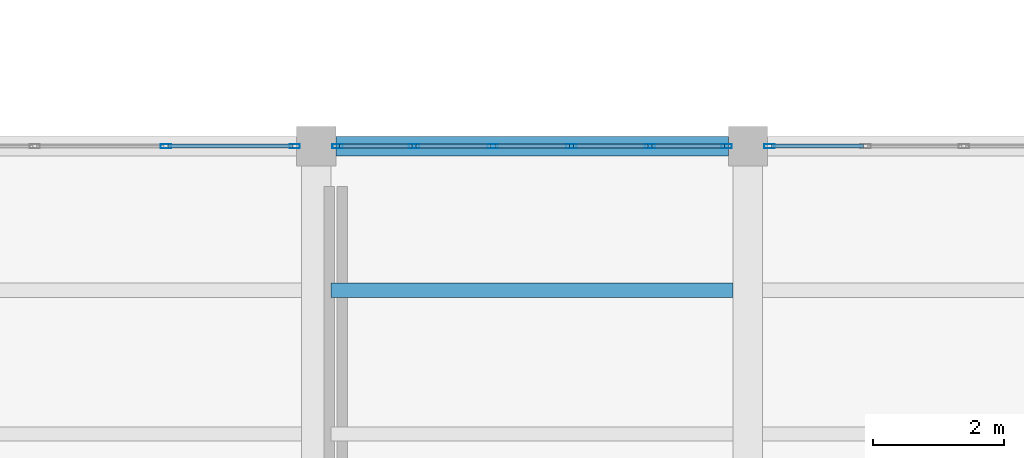
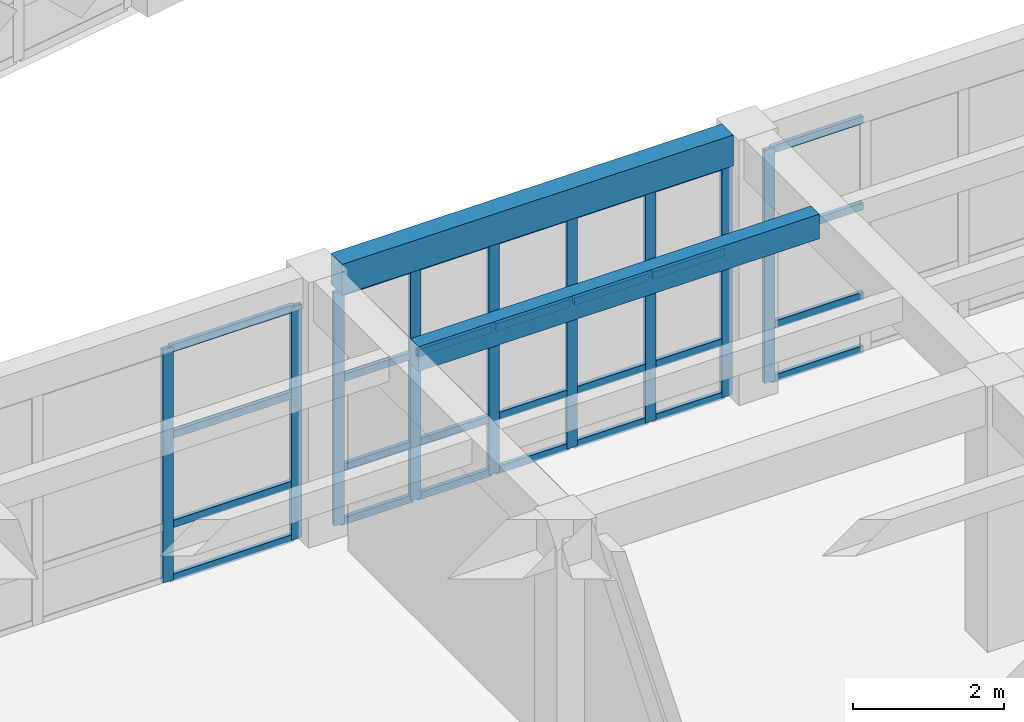
# One storey, part 13 of 80: 37 members, 2 beams, 3 elements without a shape of their own.
"""IFC4 building model written with IfcOpenShell, lengths in metres."""

from ifc_helpers import new_model, si_unit, direction, frame, origin, origin_2d, place, context, subcontext, project, spatial, rectangle, hollow_rectangle, extrude, material, layer, layer_set, material_profile, profile_set, type_object, element, aggregate, save


model = new_model("IFC4")

# Units and contexts
model_context = context("Model", 3, precision=1e-05, world=origin(), true_north=direction((0.0, 1.0)))
body_context = subcontext(model_context, "Body", "Model", "MODEL_VIEW")
ifc_project = project(units=[si_unit("LENGTHUNIT", "METRE"), si_unit("AREAUNIT", "SQUARE_METRE"), si_unit("VOLUMEUNIT", "CUBIC_METRE"), si_unit("PLANEANGLEUNIT", "RADIAN"), si_unit("MASSUNIT", "GRAM", prefix="KILO")], contexts=[model_context])

# Site, building, storey
site_placement = place(None, origin())
site = spatial("IfcSite", under=ifc_project, at=site_placement, CompositionType="ELEMENT")
building_placement = place(site_placement, origin())
building = spatial("IfcBuilding", under=site, at=building_placement, Name="Kharisveld Research Institute", CompositionType="ELEMENT")
storey_placement = place(building_placement, frame((0.0, 0.0, 5.10009765625)))
storey = spatial("IfcBuildingStorey", under=building, at=storey_placement, Name="L01", CompositionType="ELEMENT", Elevation=5.10009765625)

# Curtain wall, members
ifc_material_1 = material(Name="Thermally Broken Aluminium Curtain Wall", Category="aluminium")
ifc_layer_1 = layer(ifc_material_1, 0.159912109375)
ifc_layer_set_1 = layer_set([ifc_layer_1], Name="CW_SYS_06")
curtain_wall_type_1 = type_object("IfcCurtainWallType", Name="CW_SYS_06", PredefinedType="NOTDEFINED", material=ifc_layer_set_1)
curtain_wall_1_placement = place(storey_placement, origin())
curtain_wall_1 = element("IfcCurtainWall", 1, at=curtain_wall_1_placement, inside=storey, type_object=curtain_wall_type_1, Name="CW:V3:L01:N2", PredefinedType="NOTDEFINED")
ifc_material_2 = material(Name="Anodised Aluminium AW-6063-T6", Category="aluminium")
ifc_material_profile_1 = material_profile(ifc_material_2, hollow_rectangle(XDim=0.06494140625, YDim=0.159912109375, WallThickness=0.00390625, at=origin_2d()))
ifc_profile_set_1 = profile_set([ifc_material_profile_1], Name="Anodised Aluminium AW-6063-T6")
member_type_1 = type_object("IfcMemberType", Name="CW_MUL_160", PredefinedType="MULLION", material=ifc_profile_set_1)
member_1_placement = place(storey_placement, frame((18.1015625, 26.60009765625, 0.0), z_axis=(0.0, 0.0, 1.0), x_axis=(0.0, 1.0, 0.0)))
member_1 = element("IfcMember", 2, at=member_1_placement, type_object=member_type_1, Name="CW-06 mullion 3", PredefinedType="MULLION", context=body_context, shape_type="SweptSolid", body=[
    extrude(hollow_rectangle(XDim=0.06494140625, YDim=0.159912109375, WallThickness=0.00390625, at=origin_2d()), origin(), (0.0, 0.0, 1.0), 3.77978515625),
])
member_2_placement = place(storey_placement, frame((20.072509765625, 26.60009765625, 0.0), z_axis=(0.0, 0.0, 1.0), x_axis=(0.0, 1.0, 0.0)))
member_2 = element("IfcMember", 3, at=member_2_placement, type_object=member_type_1, Name="CW-06 mullion 4", PredefinedType="MULLION", context=body_context, shape_type="SweptSolid", body=[
    extrude(hollow_rectangle(XDim=0.06494140625, YDim=0.159912109375, WallThickness=0.00390625, at=origin_2d()), origin(), (0.0, 0.0, 1.0), 3.77978515625),
])

ifc_material_3 = material(Name="Thermally Broken Aluminium Curtain Wall", Category="aluminium")
ifc_layer_2 = layer(ifc_material_3, 0.159912109375)
ifc_layer_set_2 = layer_set([ifc_layer_2], Name="CW_SYS_01")
curtain_wall_type_2 = type_object("IfcCurtainWallType", Name="CW_SYS_01", PredefinedType="NOTDEFINED", material=ifc_layer_set_2)
curtain_wall_2_placement = place(storey_placement, origin())
curtain_wall_2 = element("IfcCurtainWall", 4, at=curtain_wall_2_placement, inside=storey, type_object=curtain_wall_type_2, Name="CW:V3:L01:N3", PredefinedType="NOTDEFINED")
member_3_placement = place(storey_placement, frame((20.7275390625, 26.60009765625, 0.0), z_axis=(0.0, 0.0, 1.0), x_axis=(0.0, 1.0, 0.0)))
member_3 = element("IfcMember", 5, at=member_3_placement, type_object=member_type_1, Name="CW-01 mullion 1", PredefinedType="MULLION", context=body_context, shape_type="SweptSolid", body=[
    extrude(hollow_rectangle(XDim=0.06494140625, YDim=0.159912109375, WallThickness=0.00390625, at=origin_2d()), origin(), (0.0, 0.0, 1.0), 3.77978515625),
])
member_4_placement = place(storey_placement, frame((21.89697265625, 26.60009765625, 0.0), z_axis=(0.0, 0.0, 1.0), x_axis=(0.0, 1.0, 0.0)))
member_4 = element("IfcMember", 6, at=member_4_placement, type_object=member_type_1, Name="CW-01 mullion 2", PredefinedType="MULLION", context=body_context, shape_type="SweptSolid", body=[
    extrude(hollow_rectangle(XDim=0.06494140625, YDim=0.159912109375, WallThickness=0.00390625, at=origin_2d()), origin(), (0.0, 0.0, 1.0), 3.77978515625),
])
member_5_placement = place(storey_placement, frame((23.09912109375, 26.60009765625, 0.0), z_axis=(0.0, 0.0, 1.0), x_axis=(0.0, 1.0, 0.0)))
member_5 = element("IfcMember", 7, at=member_5_placement, type_object=member_type_1, Name="CW-01 mullion 3", PredefinedType="MULLION", context=body_context, shape_type="SweptSolid", body=[
    extrude(hollow_rectangle(XDim=0.06494140625, YDim=0.159912109375, WallThickness=0.00390625, at=origin_2d()), origin(), (0.0, 0.0, 1.0), 3.77978515625),
])
member_6_placement = place(storey_placement, frame((24.301025390625, 26.60009765625, 0.0), z_axis=(0.0, 0.0, 1.0), x_axis=(0.0, 1.0, 0.0)))
member_6 = element("IfcMember", 8, at=member_6_placement, type_object=member_type_1, Name="CW-01 mullion 4", PredefinedType="MULLION", context=body_context, shape_type="SweptSolid", body=[
    extrude(hollow_rectangle(XDim=0.06494140625, YDim=0.159912109375, WallThickness=0.00390625, at=origin_2d()), origin(), (0.0, 0.0, 1.0), 3.77978515625),
])
member_7_placement = place(storey_placement, frame((25.5029296875, 26.60009765625, 0.0), z_axis=(0.0, 0.0, 1.0), x_axis=(0.0, 1.0, 0.0)))
member_7 = element("IfcMember", 9, at=member_7_placement, type_object=member_type_1, Name="CW-01 mullion 5", PredefinedType="MULLION", context=body_context, shape_type="SweptSolid", body=[
    extrude(hollow_rectangle(XDim=0.06494140625, YDim=0.159912109375, WallThickness=0.00390625, at=origin_2d()), origin(), (0.0, 0.0, 1.0), 3.77978515625),
])
member_8_placement = place(storey_placement, frame((26.672607421875, 26.60009765625, 0.0), z_axis=(0.0, 0.0, 1.0), x_axis=(0.0, 1.0, 0.0)))
member_8 = element("IfcMember", 10, at=member_8_placement, type_object=member_type_1, Name="CW-01 mullion 6", PredefinedType="MULLION", context=body_context, shape_type="SweptSolid", body=[
    extrude(hollow_rectangle(XDim=0.06494140625, YDim=0.159912109375, WallThickness=0.00390625, at=origin_2d()), origin(), (0.0, 0.0, 1.0), 3.77978515625),
])

# Curtain wall, member
ifc_material_4 = material(Name="Thermally Broken Aluminium Curtain Wall", Category="aluminium")
ifc_layer_3 = layer(ifc_material_4, 0.159912109375)
ifc_layer_set_3 = layer_set([ifc_layer_3], Name="CW_SYS_02")
curtain_wall_type_3 = type_object("IfcCurtainWallType", Name="CW_SYS_02", PredefinedType="NOTDEFINED", material=ifc_layer_set_3)
curtain_wall_3_placement = place(storey_placement, origin())
curtain_wall_3 = element("IfcCurtainWall", 11, at=curtain_wall_3_placement, inside=storey, type_object=curtain_wall_type_3, Name="CW:V3:L01:N4", PredefinedType="NOTDEFINED")
member_9_placement = place(storey_placement, frame((27.327392578125, 26.60009765625, 0.0), z_axis=(0.0, 0.0, 1.0), x_axis=(0.0, 1.0, 0.0)))
member_9 = element("IfcMember", 12, at=member_9_placement, type_object=member_type_1, Name="CW-02 mullion 1", PredefinedType="MULLION", context=body_context, shape_type="SweptSolid", body=[
    extrude(hollow_rectangle(XDim=0.06494140625, YDim=0.159912109375, WallThickness=0.00390625, at=origin_2d()), origin(), (0.0, 0.0, 1.0), 3.77978515625),
])

# Member
ifc_material_5 = material(Name="Anodised Aluminium AW-6063-T6", Category="aluminium")
ifc_material_profile_2 = material_profile(ifc_material_5, hollow_rectangle(XDim=0.06005859375, YDim=0.1201171875, WallThickness=0.00390625, at=origin_2d()))
ifc_profile_set_2 = profile_set([ifc_material_profile_2], Name="Anodised Aluminium AW-6063-T6")
member_type_2 = type_object("IfcMemberType", Name="CW_TRN_120", PredefinedType="USERDEFINED", material=ifc_profile_set_2)
member_10_placement = place(storey_placement, frame((18.13427734375, 26.60009765625, 0.02978515625), z_axis=(1.0, 0.0, 0.0), x_axis=(0.0, 1.0, 0.0)))
member_10 = element("IfcMember", 13, at=member_10_placement, type_object=member_type_2, Name="CW-06 transom 3.1", ObjectType="TRANSOM", PredefinedType="USERDEFINED", context=body_context, shape_type="SweptSolid", body=[
    extrude(hollow_rectangle(XDim=0.06005859375, YDim=0.1201171875, WallThickness=0.00390625, at=origin_2d()), origin(), (0.0, 0.0, 1.0), 1.90576171875),
])

member_11_placement = place(storey_placement, frame((18.13427734375, 26.60009765625, 0.89990234375), z_axis=(1.0, 0.0, 0.0), x_axis=(0.0, 1.0, 0.0)))
member_11 = element("IfcMember", 14, at=member_11_placement, type_object=member_type_2, Name="CW-06 transom 3.2", ObjectType="TRANSOM", PredefinedType="USERDEFINED", context=body_context, shape_type="SweptSolid", body=[
    extrude(hollow_rectangle(XDim=0.06005859375, YDim=0.1201171875, WallThickness=0.00390625, at=origin_2d()), origin(), (0.0, 0.0, 1.0), 1.90576171875),
])

member_12_placement = place(storey_placement, frame((18.13427734375, 26.60009765625, 2.349853515625), z_axis=(1.0, 0.0, 0.0), x_axis=(0.0, 1.0, 0.0)))
member_12 = element("IfcMember", 15, at=member_12_placement, type_object=member_type_2, Name="CW-06 transom 3.3", ObjectType="TRANSOM", PredefinedType="USERDEFINED", context=body_context, shape_type="SweptSolid", body=[
    extrude(hollow_rectangle(XDim=0.06005859375, YDim=0.1201171875, WallThickness=0.00390625, at=origin_2d()), origin(), (0.0, 0.0, 1.0), 1.90576171875),
])

member_13_placement = place(storey_placement, frame((18.13427734375, 26.60009765625, 3.75), z_axis=(1.0, 0.0, 0.0), x_axis=(0.0, 1.0, 0.0)))
member_13 = element("IfcMember", 16, at=member_13_placement, type_object=member_type_2, Name="CW-06 transom 3.4", ObjectType="TRANSOM", PredefinedType="USERDEFINED", context=body_context, shape_type="SweptSolid", body=[
    extrude(hollow_rectangle(XDim=0.06005859375, YDim=0.1201171875, WallThickness=0.00390625, at=origin_2d()), origin(), (0.0, 0.0, 1.0), 1.90576171875),
])

aggregate(curtain_wall_1, [member_1, member_2, member_10, member_11, member_12, member_13])

member_14_placement = place(storey_placement, frame((20.760009765625, 26.60009765625, 0.02978515625), z_axis=(1.0, 0.0, 0.0), x_axis=(0.0, 1.0, 0.0)))
member_14 = element("IfcMember", 17, at=member_14_placement, type_object=member_type_2, Name="CW-01 transom 1.1", ObjectType="TRANSOM", PredefinedType="USERDEFINED", context=body_context, shape_type="SweptSolid", body=[
    extrude(hollow_rectangle(XDim=0.06005859375, YDim=0.1201171875, WallThickness=0.00390625, at=origin_2d()), origin(), (0.0, 0.0, 1.0), 1.1044921875),
])

member_15_placement = place(storey_placement, frame((20.760009765625, 26.60009765625, 0.89990234375), z_axis=(1.0, 0.0, 0.0), x_axis=(0.0, 1.0, 0.0)))
member_15 = element("IfcMember", 18, at=member_15_placement, type_object=member_type_2, Name="CW-01 transom 1.2", ObjectType="TRANSOM", PredefinedType="USERDEFINED", context=body_context, shape_type="SweptSolid", body=[
    extrude(hollow_rectangle(XDim=0.06005859375, YDim=0.1201171875, WallThickness=0.00390625, at=origin_2d()), origin(), (0.0, 0.0, 1.0), 1.1044921875),
])

member_16_placement = place(storey_placement, frame((20.760009765625, 26.60009765625, 2.349853515625), z_axis=(1.0, 0.0, 0.0), x_axis=(0.0, 1.0, 0.0)))
member_16 = element("IfcMember", 19, at=member_16_placement, type_object=member_type_2, Name="CW-01 transom 1.3", ObjectType="TRANSOM", PredefinedType="USERDEFINED", context=body_context, shape_type="SweptSolid", body=[
    extrude(hollow_rectangle(XDim=0.06005859375, YDim=0.1201171875, WallThickness=0.00390625, at=origin_2d()), origin(), (0.0, 0.0, 1.0), 1.1044921875),
])

member_17_placement = place(storey_placement, frame((20.760009765625, 26.60009765625, 3.75), z_axis=(1.0, 0.0, 0.0), x_axis=(0.0, 1.0, 0.0)))
member_17 = element("IfcMember", 20, at=member_17_placement, type_object=member_type_2, Name="CW-01 transom 1.4", ObjectType="TRANSOM", PredefinedType="USERDEFINED", context=body_context, shape_type="SweptSolid", body=[
    extrude(hollow_rectangle(XDim=0.06005859375, YDim=0.1201171875, WallThickness=0.00390625, at=origin_2d()), origin(), (0.0, 0.0, 1.0), 1.1044921875),
])

member_18_placement = place(storey_placement, frame((21.929443359375, 26.60009765625, 0.02978515625), z_axis=(1.0, 0.0, 0.0), x_axis=(0.0, 1.0, 0.0)))
member_18 = element("IfcMember", 21, at=member_18_placement, type_object=member_type_2, Name="CW-01 transom 2.1", ObjectType="TRANSOM", PredefinedType="USERDEFINED", context=body_context, shape_type="SweptSolid", body=[
    extrude(hollow_rectangle(XDim=0.06005859375, YDim=0.1201171875, WallThickness=0.00390625, at=origin_2d()), origin(), (0.0, 0.0, 1.0), 1.136962890625),
])

member_19_placement = place(storey_placement, frame((21.929443359375, 26.60009765625, 0.89990234375), z_axis=(1.0, 0.0, 0.0), x_axis=(0.0, 1.0, 0.0)))
member_19 = element("IfcMember", 22, at=member_19_placement, type_object=member_type_2, Name="CW-01 transom 2.2", ObjectType="TRANSOM", PredefinedType="USERDEFINED", context=body_context, shape_type="SweptSolid", body=[
    extrude(hollow_rectangle(XDim=0.06005859375, YDim=0.1201171875, WallThickness=0.00390625, at=origin_2d()), origin(), (0.0, 0.0, 1.0), 1.136962890625),
])

member_20_placement = place(storey_placement, frame((21.929443359375, 26.60009765625, 2.349853515625), z_axis=(1.0, 0.0, 0.0), x_axis=(0.0, 1.0, 0.0)))
member_20 = element("IfcMember", 23, at=member_20_placement, type_object=member_type_2, Name="CW-01 transom 2.3", ObjectType="TRANSOM", PredefinedType="USERDEFINED", context=body_context, shape_type="SweptSolid", body=[
    extrude(hollow_rectangle(XDim=0.06005859375, YDim=0.1201171875, WallThickness=0.00390625, at=origin_2d()), origin(), (0.0, 0.0, 1.0), 1.136962890625),
])

member_21_placement = place(storey_placement, frame((21.929443359375, 26.60009765625, 3.75), z_axis=(1.0, 0.0, 0.0), x_axis=(0.0, 1.0, 0.0)))
member_21 = element("IfcMember", 24, at=member_21_placement, type_object=member_type_2, Name="CW-01 transom 2.4", ObjectType="TRANSOM", PredefinedType="USERDEFINED", context=body_context, shape_type="SweptSolid", body=[
    extrude(hollow_rectangle(XDim=0.06005859375, YDim=0.1201171875, WallThickness=0.00390625, at=origin_2d()), origin(), (0.0, 0.0, 1.0), 1.136962890625),
])

member_22_placement = place(storey_placement, frame((23.131591796875, 26.60009765625, 0.02978515625), z_axis=(1.0, 0.0, 0.0), x_axis=(0.0, 1.0, 0.0)))
member_22 = element("IfcMember", 25, at=member_22_placement, type_object=member_type_2, Name="CW-01 transom 3.1", ObjectType="TRANSOM", PredefinedType="USERDEFINED", context=body_context, shape_type="SweptSolid", body=[
    extrude(hollow_rectangle(XDim=0.06005859375, YDim=0.1201171875, WallThickness=0.00390625, at=origin_2d()), origin(), (0.0, 0.0, 1.0), 1.136962890625),
])

member_23_placement = place(storey_placement, frame((23.131591796875, 26.60009765625, 0.89990234375), z_axis=(1.0, 0.0, 0.0), x_axis=(0.0, 1.0, 0.0)))
member_23 = element("IfcMember", 26, at=member_23_placement, type_object=member_type_2, Name="CW-01 transom 3.2", ObjectType="TRANSOM", PredefinedType="USERDEFINED", context=body_context, shape_type="SweptSolid", body=[
    extrude(hollow_rectangle(XDim=0.06005859375, YDim=0.1201171875, WallThickness=0.00390625, at=origin_2d()), origin(), (0.0, 0.0, 1.0), 1.136962890625),
])

member_24_placement = place(storey_placement, frame((23.131591796875, 26.60009765625, 2.349853515625), z_axis=(1.0, 0.0, 0.0), x_axis=(0.0, 1.0, 0.0)))
member_24 = element("IfcMember", 27, at=member_24_placement, type_object=member_type_2, Name="CW-01 transom 3.3", ObjectType="TRANSOM", PredefinedType="USERDEFINED", context=body_context, shape_type="SweptSolid", body=[
    extrude(hollow_rectangle(XDim=0.06005859375, YDim=0.1201171875, WallThickness=0.00390625, at=origin_2d()), origin(), (0.0, 0.0, 1.0), 1.136962890625),
])

member_25_placement = place(storey_placement, frame((23.131591796875, 26.60009765625, 3.75), z_axis=(1.0, 0.0, 0.0), x_axis=(0.0, 1.0, 0.0)))
member_25 = element("IfcMember", 28, at=member_25_placement, type_object=member_type_2, Name="CW-01 transom 3.4", ObjectType="TRANSOM", PredefinedType="USERDEFINED", context=body_context, shape_type="SweptSolid", body=[
    extrude(hollow_rectangle(XDim=0.06005859375, YDim=0.1201171875, WallThickness=0.00390625, at=origin_2d()), origin(), (0.0, 0.0, 1.0), 1.136962890625),
])

member_26_placement = place(storey_placement, frame((24.33349609375, 26.60009765625, 0.02978515625), z_axis=(1.0, 0.0, 0.0), x_axis=(0.0, 1.0, 0.0)))
member_26 = element("IfcMember", 29, at=member_26_placement, type_object=member_type_2, Name="CW-01 transom 4.1", ObjectType="TRANSOM", PredefinedType="USERDEFINED", context=body_context, shape_type="SweptSolid", body=[
    extrude(hollow_rectangle(XDim=0.06005859375, YDim=0.1201171875, WallThickness=0.00390625, at=origin_2d()), origin(), (0.0, 0.0, 1.0), 1.136962890625),
])

member_27_placement = place(storey_placement, frame((24.33349609375, 26.60009765625, 0.89990234375), z_axis=(1.0, 0.0, 0.0), x_axis=(0.0, 1.0, 0.0)))
member_27 = element("IfcMember", 30, at=member_27_placement, type_object=member_type_2, Name="CW-01 transom 4.2", ObjectType="TRANSOM", PredefinedType="USERDEFINED", context=body_context, shape_type="SweptSolid", body=[
    extrude(hollow_rectangle(XDim=0.06005859375, YDim=0.1201171875, WallThickness=0.00390625, at=origin_2d()), origin(), (0.0, 0.0, 1.0), 1.136962890625),
])

member_28_placement = place(storey_placement, frame((24.33349609375, 26.60009765625, 2.349853515625), z_axis=(1.0, 0.0, 0.0), x_axis=(0.0, 1.0, 0.0)))
member_28 = element("IfcMember", 31, at=member_28_placement, type_object=member_type_2, Name="CW-01 transom 4.3", ObjectType="TRANSOM", PredefinedType="USERDEFINED", context=body_context, shape_type="SweptSolid", body=[
    extrude(hollow_rectangle(XDim=0.06005859375, YDim=0.1201171875, WallThickness=0.00390625, at=origin_2d()), origin(), (0.0, 0.0, 1.0), 1.136962890625),
])

member_29_placement = place(storey_placement, frame((24.33349609375, 26.60009765625, 3.75), z_axis=(1.0, 0.0, 0.0), x_axis=(0.0, 1.0, 0.0)))
member_29 = element("IfcMember", 32, at=member_29_placement, type_object=member_type_2, Name="CW-01 transom 4.4", ObjectType="TRANSOM", PredefinedType="USERDEFINED", context=body_context, shape_type="SweptSolid", body=[
    extrude(hollow_rectangle(XDim=0.06005859375, YDim=0.1201171875, WallThickness=0.00390625, at=origin_2d()), origin(), (0.0, 0.0, 1.0), 1.136962890625),
])

member_30_placement = place(storey_placement, frame((25.535400390625, 26.60009765625, 0.02978515625), z_axis=(1.0, 0.0, 0.0), x_axis=(0.0, 1.0, 0.0)))
member_30 = element("IfcMember", 33, at=member_30_placement, type_object=member_type_2, Name="CW-01 transom 5.1", ObjectType="TRANSOM", PredefinedType="USERDEFINED", context=body_context, shape_type="SweptSolid", body=[
    extrude(hollow_rectangle(XDim=0.06005859375, YDim=0.1201171875, WallThickness=0.00390625, at=origin_2d()), origin(), (0.0, 0.0, 1.0), 1.1044921875),
])

member_31_placement = place(storey_placement, frame((25.535400390625, 26.60009765625, 0.89990234375), z_axis=(1.0, 0.0, 0.0), x_axis=(0.0, 1.0, 0.0)))
member_31 = element("IfcMember", 34, at=member_31_placement, type_object=member_type_2, Name="CW-01 transom 5.2", ObjectType="TRANSOM", PredefinedType="USERDEFINED", context=body_context, shape_type="SweptSolid", body=[
    extrude(hollow_rectangle(XDim=0.06005859375, YDim=0.1201171875, WallThickness=0.00390625, at=origin_2d()), origin(), (0.0, 0.0, 1.0), 1.1044921875),
])

member_32_placement = place(storey_placement, frame((25.535400390625, 26.60009765625, 2.349853515625), z_axis=(1.0, 0.0, 0.0), x_axis=(0.0, 1.0, 0.0)))
member_32 = element("IfcMember", 35, at=member_32_placement, type_object=member_type_2, Name="CW-01 transom 5.3", ObjectType="TRANSOM", PredefinedType="USERDEFINED", context=body_context, shape_type="SweptSolid", body=[
    extrude(hollow_rectangle(XDim=0.06005859375, YDim=0.1201171875, WallThickness=0.00390625, at=origin_2d()), origin(), (0.0, 0.0, 1.0), 1.1044921875),
])

member_33_placement = place(storey_placement, frame((25.535400390625, 26.60009765625, 3.75), z_axis=(1.0, 0.0, 0.0), x_axis=(0.0, 1.0, 0.0)))
member_33 = element("IfcMember", 36, at=member_33_placement, type_object=member_type_2, Name="CW-01 transom 5.4", ObjectType="TRANSOM", PredefinedType="USERDEFINED", context=body_context, shape_type="SweptSolid", body=[
    extrude(hollow_rectangle(XDim=0.06005859375, YDim=0.1201171875, WallThickness=0.00390625, at=origin_2d()), origin(), (0.0, 0.0, 1.0), 1.1044921875),
])

aggregate(curtain_wall_2, [member_3, member_4, member_5, member_6, member_7, member_8, member_14, member_15, member_16, member_17, member_18, member_19, member_20, member_21, member_22, member_23, member_24, member_25, member_26, member_27, member_28, member_29, member_30, member_31, member_32, member_33])

member_34_placement = place(storey_placement, frame((27.360107421875, 26.60009765625, 0.02978515625), z_axis=(1.0, 0.0, 0.0), x_axis=(0.0, 1.0, 0.0)))
member_34 = element("IfcMember", 37, at=member_34_placement, type_object=member_type_2, Name="CW-02 transom 1.1", ObjectType="TRANSOM", PredefinedType="USERDEFINED", context=body_context, shape_type="SweptSolid", body=[
    extrude(hollow_rectangle(XDim=0.06005859375, YDim=0.1201171875, WallThickness=0.00390625, at=origin_2d()), origin(), (0.0, 0.0, 1.0), 1.40478515625),
])

member_35_placement = place(storey_placement, frame((27.360107421875, 26.60009765625, 0.89990234375), z_axis=(1.0, 0.0, 0.0), x_axis=(0.0, 1.0, 0.0)))
member_35 = element("IfcMember", 38, at=member_35_placement, type_object=member_type_2, Name="CW-02 transom 1.2", ObjectType="TRANSOM", PredefinedType="USERDEFINED", context=body_context, shape_type="SweptSolid", body=[
    extrude(hollow_rectangle(XDim=0.06005859375, YDim=0.1201171875, WallThickness=0.00390625, at=origin_2d()), origin(), (0.0, 0.0, 1.0), 1.40478515625),
])

member_36_placement = place(storey_placement, frame((27.360107421875, 26.60009765625, 2.349853515625), z_axis=(1.0, 0.0, 0.0), x_axis=(0.0, 1.0, 0.0)))
member_36 = element("IfcMember", 39, at=member_36_placement, type_object=member_type_2, Name="CW-02 transom 1.3", ObjectType="TRANSOM", PredefinedType="USERDEFINED", context=body_context, shape_type="SweptSolid", body=[
    extrude(hollow_rectangle(XDim=0.06005859375, YDim=0.1201171875, WallThickness=0.00390625, at=origin_2d()), origin(), (0.0, 0.0, 1.0), 1.40478515625),
])

member_37_placement = place(storey_placement, frame((27.360107421875, 26.60009765625, 3.75), z_axis=(1.0, 0.0, 0.0), x_axis=(0.0, 1.0, 0.0)))
member_37 = element("IfcMember", 40, at=member_37_placement, type_object=member_type_2, Name="CW-02 transom 1.4", ObjectType="TRANSOM", PredefinedType="USERDEFINED", context=body_context, shape_type="SweptSolid", body=[
    extrude(hollow_rectangle(XDim=0.06005859375, YDim=0.1201171875, WallThickness=0.00390625, at=origin_2d()), origin(), (0.0, 0.0, 1.0), 1.40478515625),
])

aggregate(curtain_wall_3, [member_9, member_34, member_35, member_36, member_37])

# Beams
ifc_material_6 = material(Name="Concrete C40/50", Category="concrete")
ifc_material_profile_3 = material_profile(ifc_material_6, rectangle(XDim=0.300048828125, YDim=0.5, at=origin_2d()))
ifc_profile_set_3 = profile_set([ifc_material_profile_3], Name="Concrete C40/50")
beam_type_1 = type_object("IfcBeamType", Name="SP_RC_300x500", PredefinedType="SPANDREL", material=ifc_profile_set_3)
beam_1_placement = place(storey_placement, frame((20.699951171875, 26.60009765625, 4.0498046875), z_axis=(1.0, 0.0, 0.0), x_axis=(0.0, 1.0, 0.0)))
element("IfcBeam", 41, at=beam_1_placement, inside=storey, type_object=beam_type_1, Name="BM:V3:L01:U3_4", PredefinedType="SPANDREL", context=body_context, shape_type="SweptSolid", body=[
    extrude(rectangle(XDim=0.300048828125, YDim=0.5, at=origin_2d()), origin(), (0.0, 0.0, 1.0), 6.0),
])
ifc_material_7 = material(Name="Concrete C40/50", Category="concrete")
ifc_material_profile_4 = material_profile(ifc_material_7, rectangle(XDim=0.219970703125, YDim=0.39990234375, at=origin_2d()))
ifc_profile_set_4 = profile_set([ifc_material_profile_4], Name="Concrete C40/50")
beam_type_2 = type_object("IfcBeamType", Name="WB_RC_220x400", PredefinedType="JOIST", material=ifc_profile_set_4)
beam_2_placement = place(storey_placement, frame((20.625, 24.39990234375, 4.099853515625), z_axis=(1.0, 0.0, 0.0), x_axis=(0.0, 1.0, 0.0)))
element("IfcBeam", 42, at=beam_2_placement, inside=storey, type_object=beam_type_2, Name="BM:V3:L01:J_3_3_R2", PredefinedType="JOIST", context=body_context, shape_type="SweptSolid", body=[
    extrude(rectangle(XDim=0.219970703125, YDim=0.39990234375, at=origin_2d()), origin(), (0.0, 0.0, 1.0), 6.14990234375),
])

save(model, "model.ifc")
